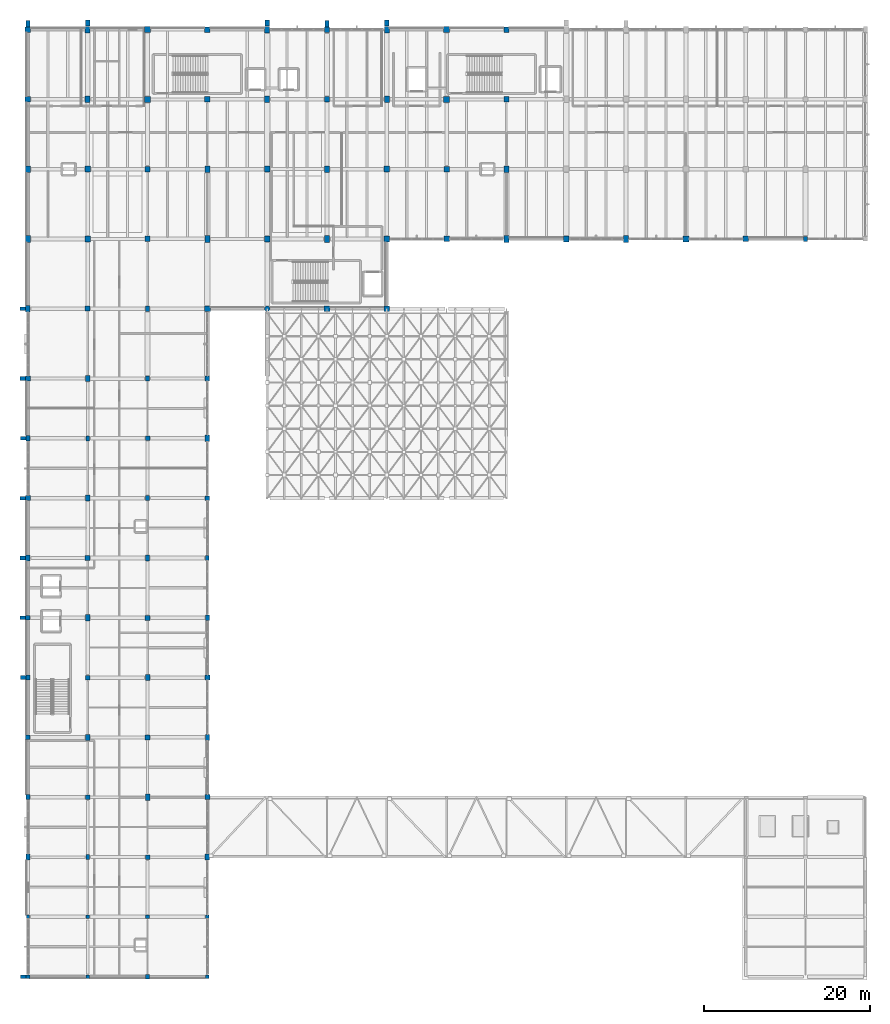
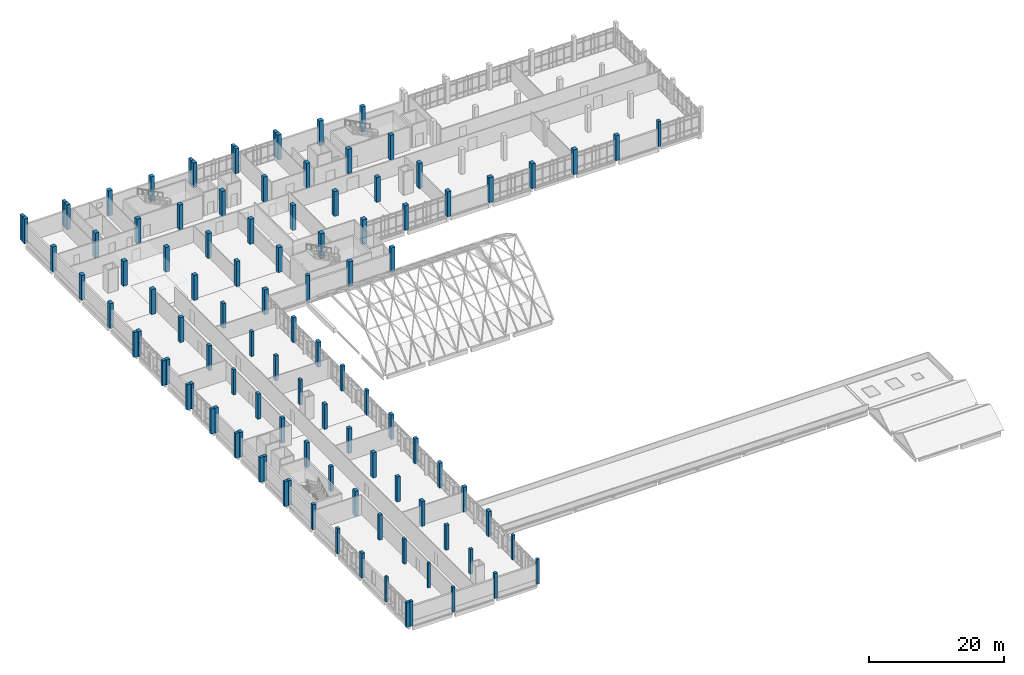
# One storey, part 1 of 87: 105 columns.
"""IFC4 building model written with IfcOpenShell, lengths in metres."""

from ifc_helpers import new_model, si_unit, direction, frame, origin, origin_2d, place, context, subcontext, project, spatial, rectangle, circle, extrude, material, material_profile, profile_set, type_object, element, save


model = new_model("IFC4")

# Units and contexts
model_context = context("Model", 3, precision=1e-05, world=origin(), true_north=direction((0.0, 1.0)))
body_context = subcontext(model_context, "Body", "Model", "MODEL_VIEW")
ifc_project = project(units=[si_unit("LENGTHUNIT", "METRE"), si_unit("AREAUNIT", "SQUARE_METRE"), si_unit("VOLUMEUNIT", "CUBIC_METRE"), si_unit("PLANEANGLEUNIT", "RADIAN"), si_unit("MASSUNIT", "GRAM", prefix="KILO")], contexts=[model_context])

# Site, building, storey
site_placement = place(None, origin())
site = spatial("IfcSite", under=ifc_project, at=site_placement, CompositionType="ELEMENT")
building_placement = place(site_placement, origin())
building = spatial("IfcBuilding", under=site, at=building_placement, Name="Kalluvel Institute of Natural Sciences", CompositionType="ELEMENT")
storey_placement = place(building_placement, frame((0.0, 0.0, 18.89990234375)))
storey = spatial("IfcBuildingStorey", under=building, at=storey_placement, Name="L04", CompositionType="ELEMENT", Elevation=18.89990234375)

# Columns
ifc_material_1 = material(Name="Concrete M40", Category="concrete")
ifc_material_profile_1 = material_profile(ifc_material_1, rectangle(XDim=0.39990234375, YDim=0.39990234375, at=origin_2d()), Name="RC 400x400")
ifc_profile_set_1 = profile_set([ifc_material_profile_1], Name="Concrete M40")
column_type_1 = type_object("IfcColumnType", Name="COL-RC400", PredefinedType="COLUMN", material=ifc_profile_set_1)
for number, where, z_axis, x_axis, name in (
    (1, (14.0, 21.199951171875, 0.0), (0.0, 0.0, 1.0), (1.0, 0.0, 0.0), "L04 structural column COL-L04-X140-Y212"),
    (2, (21.199951171875, 14.0, 0.0), (0.0, 0.0, 1.0), (1.0, 0.0, 0.0), "L04 structural column COL-L04-X212-Y140"),
    (3, (21.199951171875, 21.199951171875, 0.0), (0.0, 0.0, 1.0), (1.0, 0.0, 0.0), "L04 structural column COL-L04-X212-Y212"),
    (4, (35.60009765625, 21.199951171875, 0.0), (0.0, 0.0, 1.0), (1.0, 0.0, 0.0), "L04 structural column COL-L04-X356-Y212"),
):
    element("IfcColumn", number, at=place(storey_placement, frame(where, z_axis=z_axis, x_axis=x_axis)), inside=storey, type_object=column_type_1, Name=name, PredefinedType="COLUMN", context=body_context, shape_type="SweptSolid", body=[
        extrude(rectangle(XDim=0.39990234375, YDim=0.39990234375, at=origin_2d()), origin(), (0.0, 0.0, 1.0), 4.5),
    ])
ifc_material_profile_2 = material_profile(ifc_material_1, rectangle(XDim=0.449951171875, YDim=0.449951171875, at=origin_2d()), Name="RC 450x450")
ifc_profile_set_2 = profile_set([ifc_material_profile_2], Name="Concrete M40")
column_type_2 = type_object("IfcColumnType", Name="COL-RC450", PredefinedType="COLUMN", material=ifc_profile_set_2)
for number, where, z_axis, x_axis, name in (
    (5, (14.0, 14.0, 0.0), (0.0, 0.0, 1.0), (1.0, 0.0, 0.0), "L04 structural column COL-L04-X140-Y140"),
    (6, (28.39990234375, 21.199951171875, 0.0), (0.0, 0.0, 1.0), (1.0, 0.0, 0.0), "L04 structural column COL-L04-X284-Y212"),
    (7, (35.60009765625, 14.0, 0.0), (0.0, 0.0, 1.0), (1.0, 0.0, 0.0), "L04 structural column COL-L04-X356-Y140"),
):
    element("IfcColumn", number, at=place(storey_placement, frame(where, z_axis=z_axis, x_axis=x_axis)), inside=storey, type_object=column_type_2, Name=name, PredefinedType="COLUMN", context=body_context, shape_type="SweptSolid", body=[
        extrude(rectangle(XDim=0.449951171875, YDim=0.449951171875, at=origin_2d()), origin(), (0.0, 0.0, 1.0), 4.5),
    ])
ifc_material_profile_3 = material_profile(ifc_material_1, rectangle(XDim=0.449951171875, YDim=0.60009765625, at=origin_2d()), Name="RC 450x600")
ifc_profile_set_3 = profile_set([ifc_material_profile_3], Name="Concrete M40")
column_type_3 = type_object("IfcColumnType", Name="COL-RC450x600", PredefinedType="COLUMN", material=ifc_profile_set_3)
for number, where, z_axis, x_axis, name in (
    (8, (14.0, 35.60009765625, 0.0), (0.0, 0.0, 1.0), (1.0, 0.0, 0.0), "L04 structural column COL-L04-X140-Y356"),
    (9, (14.0, 50.0, 0.0), (0.0, 0.0, 1.0), (1.0, 0.0, 0.0), "L04 structural column COL-L04-X140-Y500"),
    (10, (21.199951171875, 28.39990234375, 0.0), (0.0, 0.0, 1.0), (1.0, 0.0, 0.0), "L04 structural column COL-L04-X212-Y284"),
    (11, (21.199951171875, 78.800048828125, 0.0), (0.0, 0.0, 1.0), (1.0, 0.0, 0.0), "L04 structural column COL-L04-X212-Y788"),
    (12, (28.39990234375, 71.60009765625, 0.0), (0.0, 0.0, 1.0), (1.0, 0.0, 0.0), "L04 structural column COL-L04-X284-Y716"),
    (13, (28.39990234375, 86.0, 0.0), (0.0, 0.0, 1.0), (1.0, 0.0, 0.0), "L04 structural column COL-L04-X284-Y860"),
    (14, (35.60009765625, 64.39990234375, 0.0), (0.0, 0.0, 1.0), (1.0, 0.0, 0.0), "L04 structural column COL-L04-X356-Y644"),
    (15, (107.60009765625, 102.800048828125, 0.0), (0.0, 0.0, 1.0), (1.0, 0.0, 0.0), "L04 structural column COL-L04-X1076-Y1028"),
):
    element("IfcColumn", number, at=place(storey_placement, frame(where, z_axis=z_axis, x_axis=x_axis)), inside=storey, type_object=column_type_3, Name=name, PredefinedType="COLUMN", context=body_context, shape_type="SweptSolid", body=[
        extrude(rectangle(XDim=0.449951171875, YDim=0.60009765625, at=origin_2d()), origin(), (0.0, 0.0, 1.0), 4.5),
    ])
ifc_material_profile_4 = material_profile(ifc_material_1, rectangle(XDim=0.5, YDim=0.5, at=origin_2d()), Name="RC 500x500")
ifc_profile_set_4 = profile_set([ifc_material_profile_4], Name="Concrete M40")
column_type_4 = type_object("IfcColumnType", Name="COL-RC500", PredefinedType="COLUMN", material=ifc_profile_set_4)
column_1_placement = place(storey_placement, frame((28.39990234375, 14.0, 0.0), z_axis=(0.0, 0.0, 1.0), x_axis=(1.0, 0.0, 0.0)))
element("IfcColumn", 16, at=column_1_placement, inside=storey, type_object=column_type_4, Name="L04 structural column COL-L04-X284-Y140", PredefinedType="COLUMN", context=body_context, shape_type="SweptSolid", body=[
    extrude(rectangle(XDim=0.5, YDim=0.5, at=origin_2d()), origin(), (0.0, 0.0, 1.0), 4.5),
])
ifc_material_profile_5 = material_profile(ifc_material_1, rectangle(XDim=0.5, YDim=0.699951171875, at=origin_2d()), Name="RC 500x700")
ifc_profile_set_5 = profile_set([ifc_material_profile_5], Name="Concrete M40")
column_type_5 = type_object("IfcColumnType", Name="COL-RC500x700", PredefinedType="COLUMN", material=ifc_profile_set_5)
for number, where, z_axis, x_axis, name in (
    (17, (14.0, 28.39990234375, 0.0), (0.0, 0.0, 1.0), (1.0, 0.0, 0.0), "L04 structural column COL-L04-X140-Y284"),
    (18, (14.0, 78.800048828125, 0.0), (0.0, 0.0, 1.0), (1.0, 0.0, 0.0), "L04 structural column COL-L04-X140-Y788"),
    (19, (21.199951171875, 71.60009765625, 0.0), (0.0, 0.0, 1.0), (1.0, 0.0, 0.0), "L04 structural column COL-L04-X212-Y716"),
    (20, (21.199951171875, 86.0, 0.0), (0.0, 0.0, 1.0), (1.0, 0.0, 0.0), "L04 structural column COL-L04-X212-Y860"),
    (21, (28.39990234375, 64.39990234375, 0.0), (0.0, 0.0, 1.0), (1.0, 0.0, 0.0), "L04 structural column COL-L04-X284-Y644"),
    (22, (28.39990234375, 94.39990234375, 0.0), (0.0, 0.0, 1.0), (1.0, 0.0, 0.0), "L04 structural column COL-L04-X284-Y944"),
    (23, (35.60009765625, 42.800048828125, 0.0), (0.0, 0.0, 1.0), (1.0, 0.0, 0.0), "L04 structural column COL-L04-X356-Y428"),
    (24, (35.60009765625, 57.199951171875, 0.0), (0.0, 0.0, 1.0), (1.0, 0.0, 0.0), "L04 structural column COL-L04-X356-Y572"),
):
    element("IfcColumn", number, at=place(storey_placement, frame(where, z_axis=z_axis, x_axis=x_axis)), inside=storey, type_object=column_type_5, Name=name, PredefinedType="COLUMN", context=body_context, shape_type="SweptSolid", body=[
        extrude(rectangle(XDim=0.5, YDim=0.699951171875, at=origin_2d()), origin(), (0.0, 0.0, 1.0), 4.5),
    ])
ifc_material_profile_6 = material_profile(ifc_material_1, rectangle(XDim=0.550048828125, YDim=0.550048828125, at=origin_2d()), Name="RC 550x550")
ifc_profile_set_6 = profile_set([ifc_material_profile_6], Name="Concrete M40")
column_type_6 = type_object("IfcColumnType", Name="COL-RC550", PredefinedType="COLUMN", material=ifc_profile_set_6)
for number, where, z_axis, x_axis, name in (
    (25, (14.0, 42.800048828125, 0.0), (0.0, 0.0, 1.0), (1.0, 0.0, 0.0), "L04 structural column COL-L04-X140-Y428"),
    (26, (14.0, 57.199951171875, 0.0), (0.0, 0.0, 1.0), (1.0, 0.0, 0.0), "L04 structural column COL-L04-X140-Y572"),
    (27, (21.199951171875, 35.60009765625, 0.0), (0.0, 0.0, 1.0), (1.0, 0.0, 0.0), "L04 structural column COL-L04-X212-Y356"),
    (28, (21.199951171875, 50.0, 0.0), (0.0, 0.0, 1.0), (1.0, 0.0, 0.0), "L04 structural column COL-L04-X212-Y500"),
    (29, (28.39990234375, 28.39990234375, 0.0), (0.0, 0.0, 1.0), (1.0, 0.0, 0.0), "L04 structural column COL-L04-X284-Y284"),
    (30, (28.39990234375, 78.800048828125, 0.0), (0.0, 0.0, 1.0), (1.0, 0.0, 0.0), "L04 structural column COL-L04-X284-Y788"),
    (31, (35.60009765625, 71.60009765625, 0.0), (0.0, 0.0, 1.0), (1.0, 0.0, 0.0), "L04 structural column COL-L04-X356-Y716"),
    (32, (35.60009765625, 86.0, 0.0), (0.0, 0.0, 1.0), (1.0, 0.0, 0.0), "L04 structural column COL-L04-X356-Y860"),
):
    element("IfcColumn", number, at=place(storey_placement, frame(where, z_axis=z_axis, x_axis=x_axis)), inside=storey, type_object=column_type_6, Name=name, PredefinedType="COLUMN", context=body_context, shape_type="SweptSolid", body=[
        extrude(rectangle(XDim=0.550048828125, YDim=0.550048828125, at=origin_2d()), origin(), (0.0, 0.0, 1.0), 4.5),
    ])
ifc_material_profile_7 = material_profile(ifc_material_1, rectangle(XDim=0.550048828125, YDim=0.75, at=origin_2d()), Name="RC 550x750")
ifc_profile_set_7 = profile_set([ifc_material_profile_7], Name="Concrete M40")
column_type_7 = type_object("IfcColumnType", Name="COL-RC550x750", PredefinedType="COLUMN", material=ifc_profile_set_7)
for number, where, z_axis, x_axis, name in (
    (33, (14.0, 64.39990234375, 0.0), (0.0, 0.0, 1.0), (1.0, 0.0, 0.0), "L04 structural column COL-L04-X140-Y644"),
    (34, (14.0, 94.39990234375, 0.0), (0.0, 0.0, 1.0), (1.0, 0.0, 0.0), "L04 structural column COL-L04-X140-Y944"),
    (35, (21.199951171875, 42.800048828125, 0.0), (0.0, 0.0, 1.0), (1.0, 0.0, 0.0), "L04 structural column COL-L04-X212-Y428"),
    (36, (21.199951171875, 57.199951171875, 0.0), (0.0, 0.0, 1.0), (1.0, 0.0, 0.0), "L04 structural column COL-L04-X212-Y572"),
    (37, (28.39990234375, 35.60009765625, 0.0), (0.0, 0.0, 1.0), (1.0, 0.0, 0.0), "L04 structural column COL-L04-X284-Y356"),
    (38, (28.39990234375, 50.0, 0.0), (0.0, 0.0, 1.0), (1.0, 0.0, 0.0), "L04 structural column COL-L04-X284-Y500"),
    (39, (35.60009765625, 28.39990234375, 0.0), (0.0, 0.0, 1.0), (1.0, 0.0, 0.0), "L04 structural column COL-L04-X356-Y284"),
    (40, (35.60009765625, 78.800048828125, 0.0), (0.0, 0.0, 1.0), (1.0, 0.0, 0.0), "L04 structural column COL-L04-X356-Y788"),
):
    element("IfcColumn", number, at=place(storey_placement, frame(where, z_axis=z_axis, x_axis=x_axis)), inside=storey, type_object=column_type_7, Name=name, PredefinedType="COLUMN", context=body_context, shape_type="SweptSolid", body=[
        extrude(rectangle(XDim=0.550048828125, YDim=0.75, at=origin_2d()), origin(), (0.0, 0.0, 1.0), 4.5),
    ])
ifc_material_profile_8 = material_profile(ifc_material_1, rectangle(XDim=0.60009765625, YDim=0.60009765625, at=origin_2d()), Name="RC 600x600")
ifc_profile_set_8 = profile_set([ifc_material_profile_8], Name="Concrete M40")
column_type_8 = type_object("IfcColumnType", Name="COL-RC600", PredefinedType="COLUMN", material=ifc_profile_set_8)
for number, where, z_axis, x_axis, name in (
    (41, (14.0, 71.60009765625, 0.0), (0.0, 0.0, 1.0), (1.0, 0.0, 0.0), "L04 structural column COL-L04-X140-Y716"),
    (42, (14.0, 86.0, 0.0), (0.0, 0.0, 1.0), (1.0, 0.0, 0.0), "L04 structural column COL-L04-X140-Y860"),
    (43, (21.199951171875, 64.39990234375, 0.0), (0.0, 0.0, 1.0), (1.0, 0.0, 0.0), "L04 structural column COL-L04-X212-Y644"),
    (44, (21.199951171875, 94.39990234375, 0.0), (0.0, 0.0, 1.0), (1.0, 0.0, 0.0), "L04 structural column COL-L04-X212-Y944"),
    (45, (28.39990234375, 42.800048828125, 0.0), (0.0, 0.0, 1.0), (1.0, 0.0, 0.0), "L04 structural column COL-L04-X284-Y428"),
    (46, (28.39990234375, 57.199951171875, 0.0), (0.0, 0.0, 1.0), (1.0, 0.0, 0.0), "L04 structural column COL-L04-X284-Y572"),
    (47, (35.60009765625, 35.60009765625, 0.0), (0.0, 0.0, 1.0), (1.0, 0.0, 0.0), "L04 structural column COL-L04-X356-Y356"),
    (48, (35.60009765625, 50.0, 0.0), (0.0, 0.0, 1.0), (1.0, 0.0, 0.0), "L04 structural column COL-L04-X356-Y500"),
):
    element("IfcColumn", number, at=place(storey_placement, frame(where, z_axis=z_axis, x_axis=x_axis)), inside=storey, type_object=column_type_8, Name=name, PredefinedType="COLUMN", context=body_context, shape_type="SweptSolid", body=[
        extrude(rectangle(XDim=0.60009765625, YDim=0.60009765625, at=origin_2d()), origin(), (0.0, 0.0, 1.0), 4.5),
    ])
ifc_material_2 = material(Name="Concrete M50", Category="concrete")
ifc_material_profile_9 = material_profile(ifc_material_2, rectangle(XDim=0.60009765625, YDim=0.800048828125, at=origin_2d()), Name="RC 600x800")
ifc_profile_set_9 = profile_set([ifc_material_profile_9], Name="Concrete M50")
column_type_9 = type_object("IfcColumnType", Name="COL-RC600x800", PredefinedType="COLUMN", material=ifc_profile_set_9)
for number, where, z_axis, x_axis, name in (
    (49, (14.0, 102.800048828125, 0.0), (0.0, 0.0, 1.0), (1.0, 0.0, 0.0), "L04 structural column COL-L04-X140-Y1028"),
    (50, (14.0, 111.199951171875, 0.0), (0.0, 0.0, 1.0), (1.0, 0.0, 0.0), "L04 structural column COL-L04-X140-Y1112"),
    (51, (21.199951171875, 119.60009765625, 0.0), (0.0, 0.0, 1.0), (1.0, 0.0, 0.0), "L04 structural column COL-L04-X212-Y1196"),
    (52, (21.199951171875, 128.0, 0.0), (0.0, 0.0, 1.0), (1.0, 0.0, 0.0), "L04 structural column COL-L04-X212-Y1280"),
    (53, (35.60009765625, 102.800048828125, 0.0), (0.0, 0.0, 1.0), (1.0, 0.0, 0.0), "L04 structural column COL-L04-X356-Y1028"),
    (54, (35.60009765625, 111.199951171875, 0.0), (0.0, 0.0, 1.0), (1.0, 0.0, 0.0), "L04 structural column COL-L04-X356-Y1112"),
    (55, (42.800048828125, 119.60009765625, 0.0), (0.0, 0.0, 1.0), (1.0, 0.0, 0.0), "L04 structural column COL-L04-X428-Y1196"),
    (56, (42.800048828125, 128.0, 0.0), (0.0, 0.0, 1.0), (1.0, 0.0, 0.0), "L04 structural column COL-L04-X428-Y1280"),
    (57, (50.0, 102.800048828125, 0.0), (0.0, 0.0, 1.0), (1.0, 0.0, 0.0), "L04 structural column COL-L04-X500-Y1028"),
    (58, (50.0, 111.199951171875, 0.0), (0.0, 0.0, 1.0), (1.0, 0.0, 0.0), "L04 structural column COL-L04-X500-Y1112"),
    (59, (57.199951171875, 119.60009765625, 0.0), (0.0, 0.0, 1.0), (1.0, 0.0, 0.0), "L04 structural column COL-L04-X572-Y1196"),
    (60, (57.199951171875, 128.0, 0.0), (0.0, 0.0, 1.0), (1.0, 0.0, 0.0), "L04 structural column COL-L04-X572-Y1280"),
    (61, (71.60009765625, 102.800048828125, 0.0), (0.0, 0.0, 1.0), (1.0, 0.0, 0.0), "L04 structural column COL-L04-X716-Y1028"),
    (62, (71.60009765625, 111.199951171875, 0.0), (0.0, 0.0, 1.0), (1.0, 0.0, 0.0), "L04 structural column COL-L04-X716-Y1112"),
    (63, (86.0, 102.800048828125, 0.0), (0.0, 0.0, 1.0), (1.0, 0.0, 0.0), "L04 structural column COL-L04-X860-Y1028"),
):
    element("IfcColumn", number, at=place(storey_placement, frame(where, z_axis=z_axis, x_axis=x_axis)), inside=storey, type_object=column_type_9, Name=name, PredefinedType="COLUMN", context=body_context, shape_type="SweptSolid", body=[
        extrude(rectangle(XDim=0.60009765625, YDim=0.800048828125, at=origin_2d()), origin(), (0.0, 0.0, 1.0), 4.5),
    ])
ifc_material_profile_10 = material_profile(ifc_material_1, rectangle(XDim=0.64990234375, YDim=0.64990234375, at=origin_2d()), Name="RC 650x650")
ifc_profile_set_10 = profile_set([ifc_material_profile_10], Name="Concrete M40")
column_type_10 = type_object("IfcColumnType", Name="COL-RC650", PredefinedType="COLUMN", material=ifc_profile_set_10)
for number, where, z_axis, x_axis, name in (
    (64, (14.0, 119.60009765625, 0.0), (0.0, 0.0, 1.0), (1.0, 0.0, 0.0), "L04 structural column COL-L04-X140-Y1196"),
    (65, (14.0, 128.0, 0.0), (0.0, 0.0, 1.0), (1.0, 0.0, 0.0), "L04 structural column COL-L04-X140-Y1280"),
    (66, (28.39990234375, 102.800048828125, 0.0), (0.0, 0.0, 1.0), (1.0, 0.0, 0.0), "L04 structural column COL-L04-X284-Y1028"),
    (67, (28.39990234375, 111.199951171875, 0.0), (0.0, 0.0, 1.0), (1.0, 0.0, 0.0), "L04 structural column COL-L04-X284-Y1112"),
    (68, (35.60009765625, 119.60009765625, 0.0), (0.0, 0.0, 1.0), (1.0, 0.0, 0.0), "L04 structural column COL-L04-X356-Y1196"),
    (69, (35.60009765625, 128.0, 0.0), (0.0, 0.0, 1.0), (1.0, 0.0, 0.0), "L04 structural column COL-L04-X356-Y1280"),
    (70, (50.0, 119.60009765625, 0.0), (0.0, 0.0, 1.0), (1.0, 0.0, 0.0), "L04 structural column COL-L04-X500-Y1196"),
    (71, (50.0, 128.0, 0.0), (0.0, 0.0, 1.0), (1.0, 0.0, 0.0), "L04 structural column COL-L04-X500-Y1280"),
    (72, (57.199951171875, 94.39990234375, 0.0), (0.0, 0.0, 1.0), (1.0, 0.0, 0.0), "L04 structural column COL-L04-X572-Y944"),
    (73, (64.39990234375, 102.800048828125, 0.0), (0.0, 0.0, 1.0), (1.0, 0.0, 0.0), "L04 structural column COL-L04-X644-Y1028"),
    (74, (64.39990234375, 111.199951171875, 0.0), (0.0, 0.0, 1.0), (1.0, 0.0, 0.0), "L04 structural column COL-L04-X644-Y1112"),
    (75, (71.60009765625, 119.60009765625, 0.0), (0.0, 0.0, 1.0), (1.0, 0.0, 0.0), "L04 structural column COL-L04-X716-Y1196"),
    (76, (71.60009765625, 128.0, 0.0), (0.0, 0.0, 1.0), (1.0, 0.0, 0.0), "L04 structural column COL-L04-X716-Y1280"),
    (77, (100.39990234375, 102.800048828125, 0.0), (0.0, 0.0, 1.0), (1.0, 0.0, 0.0), "L04 structural column COL-L04-X1004-Y1028"),
):
    element("IfcColumn", number, at=place(storey_placement, frame(where, z_axis=z_axis, x_axis=x_axis)), inside=storey, type_object=column_type_10, Name=name, PredefinedType="COLUMN", context=body_context, shape_type="SweptSolid", body=[
        extrude(rectangle(XDim=0.64990234375, YDim=0.64990234375, at=origin_2d()), origin(), (0.0, 0.0, 1.0), 4.5),
    ])
ifc_material_profile_11 = material_profile(ifc_material_1, rectangle(XDim=0.699951171875, YDim=0.699951171875, at=origin_2d()), Name="RC 700x700")
ifc_profile_set_11 = profile_set([ifc_material_profile_11], Name="Concrete M40")
column_type_11 = type_object("IfcColumnType", Name="COL-RC700", PredefinedType="COLUMN", material=ifc_profile_set_11)
for number, where, z_axis, x_axis, name in (
    (78, (21.199951171875, 102.800048828125, 0.0), (0.0, 0.0, 1.0), (1.0, 0.0, 0.0), "L04 structural column COL-L04-X212-Y1028"),
    (79, (21.199951171875, 111.199951171875, 0.0), (0.0, 0.0, 1.0), (1.0, 0.0, 0.0), "L04 structural column COL-L04-X212-Y1112"),
    (80, (28.39990234375, 119.60009765625, 0.0), (0.0, 0.0, 1.0), (1.0, 0.0, 0.0), "L04 structural column COL-L04-X284-Y1196"),
    (81, (28.39990234375, 128.0, 0.0), (0.0, 0.0, 1.0), (1.0, 0.0, 0.0), "L04 structural column COL-L04-X284-Y1280"),
    (82, (35.60009765625, 94.39990234375, 0.0), (0.0, 0.0, 1.0), (1.0, 0.0, 0.0), "L04 structural column COL-L04-X356-Y944"),
    (83, (42.800048828125, 102.800048828125, 0.0), (0.0, 0.0, 1.0), (1.0, 0.0, 0.0), "L04 structural column COL-L04-X428-Y1028"),
    (84, (42.800048828125, 111.199951171875, 0.0), (0.0, 0.0, 1.0), (1.0, 0.0, 0.0), "L04 structural column COL-L04-X428-Y1112"),
    (85, (50.0, 94.39990234375, 0.0), (0.0, 0.0, 1.0), (1.0, 0.0, 0.0), "L04 structural column COL-L04-X500-Y944"),
    (86, (57.199951171875, 102.800048828125, 0.0), (0.0, 0.0, 1.0), (1.0, 0.0, 0.0), "L04 structural column COL-L04-X572-Y1028"),
    (87, (57.199951171875, 111.199951171875, 0.0), (0.0, 0.0, 1.0), (1.0, 0.0, 0.0), "L04 structural column COL-L04-X572-Y1112"),
    (88, (64.39990234375, 119.60009765625, 0.0), (0.0, 0.0, 1.0), (1.0, 0.0, 0.0), "L04 structural column COL-L04-X644-Y1196"),
    (89, (64.39990234375, 128.0, 0.0), (0.0, 0.0, 1.0), (1.0, 0.0, 0.0), "L04 structural column COL-L04-X644-Y1280"),
    (90, (78.800048828125, 102.800048828125, 0.0), (0.0, 0.0, 1.0), (1.0, 0.0, 0.0), "L04 structural column COL-L04-X788-Y1028"),
    (91, (93.199951171875, 102.800048828125, 0.0), (0.0, 0.0, 1.0), (1.0, 0.0, 0.0), "L04 structural column COL-L04-X932-Y1028"),
):
    element("IfcColumn", number, at=place(storey_placement, frame(where, z_axis=z_axis, x_axis=x_axis)), inside=storey, type_object=column_type_11, Name=name, PredefinedType="COLUMN", context=body_context, shape_type="SweptSolid", body=[
        extrude(rectangle(XDim=0.699951171875, YDim=0.699951171875, at=origin_2d()), origin(), (0.0, 0.0, 1.0), 4.5),
    ])
ifc_material_profile_12 = material_profile(ifc_material_1, circle(Radius=0.324951171875, at=origin_2d()), Name="RCCOL D650")
ifc_profile_set_12 = profile_set([ifc_material_profile_12], Name="Concrete M40")
column_type_12 = type_object("IfcColumnType", Name="COL-RCD650", PredefinedType="COLUMN", material=ifc_profile_set_12)
column_2_placement = place(storey_placement, frame((42.800048828125, 94.39990234375, 0.0), z_axis=(0.0, 0.0, 1.0), x_axis=(1.0, 0.0, 0.0)))
element("IfcColumn", 92, at=column_2_placement, inside=storey, type_object=column_type_12, Name="L04 structural column COL-L04-X428-Y944", PredefinedType="COLUMN", context=body_context, shape_type="SweptSolid", body=[
    extrude(circle(Radius=0.324951171875, at=origin_2d()), origin(), (0.0, 0.0, 1.0), 4.5),
])
ifc_material_3 = material(Name="Sadarahalli Granite Precast Concrete M45", Category="masonry")
ifc_material_profile_13 = material_profile(ifc_material_3, rectangle(XDim=0.449951171875, YDim=0.64990234375, at=origin_2d()), Name="PIL 450x650")
ifc_profile_set_13 = profile_set([ifc_material_profile_13], Name="Sadarahalli Granite Precast Concrete M45")
column_type_13 = type_object("IfcColumnType", Name="PIL-450x650", PredefinedType="PILASTER", material=ifc_profile_set_13)
for number, where, z_axis, x_axis, name in (
    (93, (13.447021484375, 14.0, 0.0), (0.0, 0.0, 1.0), (0.0, 1.0, 0.0), "L04 Gothic stepped Sadarahalli granite buttress 76"),
    (94, (13.447021484375, 50.0, 0.0), (0.0, 0.0, 1.0), (0.0, 1.0, 0.0), "L04 Gothic stepped Sadarahalli granite buttress 82"),
    (95, (13.39697265625, 57.199951171875, 0.0), (0.0, 0.0, 1.0), (0.0, 1.0, 0.0), "L04 Gothic stepped Sadarahalli granite buttress 90"),
    (96, (13.39697265625, 64.39990234375, 0.0), (0.0, 0.0, 1.0), (0.0, 1.0, 0.0), "L04 Gothic stepped Sadarahalli granite buttress 98"),
    (97, (13.3720703125, 71.60009765625, 0.0), (0.0, 0.0, 1.0), (0.0, 1.0, 0.0), "L04 Gothic stepped Sadarahalli granite buttress 106"),
    (98, (13.422119140625, 78.800048828125, 0.0), (0.0, 0.0, 1.0), (0.0, 1.0, 0.0), "L04 Gothic stepped Sadarahalli granite buttress 114"),
    (99, (13.3720703125, 86.0, 0.0), (0.0, 0.0, 1.0), (0.0, 1.0, 0.0), "L04 Gothic stepped Sadarahalli granite buttress 122"),
    (100, (13.39697265625, 94.39990234375, 0.0), (0.0, 0.0, 1.0), (0.0, 1.0, 0.0), "L04 Gothic stepped Sadarahalli granite buttress 130"),
):
    element("IfcColumn", number, at=place(storey_placement, frame(where, z_axis=z_axis, x_axis=x_axis)), inside=storey, type_object=column_type_13, Name=name, PredefinedType="PILASTER", context=body_context, shape_type="SweptSolid", body=[
        extrude(rectangle(XDim=0.449951171875, YDim=0.64990234375, at=origin_2d()), origin(), (0.0, 0.0, 1.0), 4.5),
    ])
ifc_material_profile_14 = material_profile(ifc_material_3, rectangle(XDim=0.5, YDim=0.75, at=origin_2d()), Name="PIL 500x750")
ifc_profile_set_14 = profile_set([ifc_material_profile_14], Name="Sadarahalli Granite Precast Concrete M45")
column_type_14 = type_object("IfcColumnType", Name="PIL-500x750", PredefinedType="PILASTER", material=ifc_profile_set_14)
for number, where, z_axis, x_axis, name in (
    (101, (14.0, 128.702880859375, 0.0), (0.0, 0.0, 1.0), (1.0, 0.0, 0.0), "L04 Gothic stepped Sadarahalli granite buttress 6"),
    (102, (21.199951171875, 128.778076171875, 0.0), (0.0, 0.0, 1.0), (1.0, 0.0, 0.0), "L04 Gothic stepped Sadarahalli granite buttress 16"),
    (103, (42.800048828125, 128.778076171875, 0.0), (0.0, 0.0, 1.0), (1.0, 0.0, 0.0), "L04 Gothic stepped Sadarahalli granite buttress 26"),
    (104, (50.0, 128.702880859375, 0.0), (0.0, 0.0, 1.0), (1.0, 0.0, 0.0), "L04 Gothic stepped Sadarahalli granite buttress 36"),
    (105, (57.199951171875, 128.778076171875, 0.0), (0.0, 0.0, 1.0), (1.0, 0.0, 0.0), "L04 Gothic stepped Sadarahalli granite buttress 46"),
):
    element("IfcColumn", number, at=place(storey_placement, frame(where, z_axis=z_axis, x_axis=x_axis)), inside=storey, type_object=column_type_14, Name=name, PredefinedType="PILASTER", context=body_context, shape_type="SweptSolid", body=[
        extrude(rectangle(XDim=0.5, YDim=0.75, at=origin_2d()), origin(), (0.0, 0.0, 1.0), 4.5),
    ])

save(model, "model.ifc")
